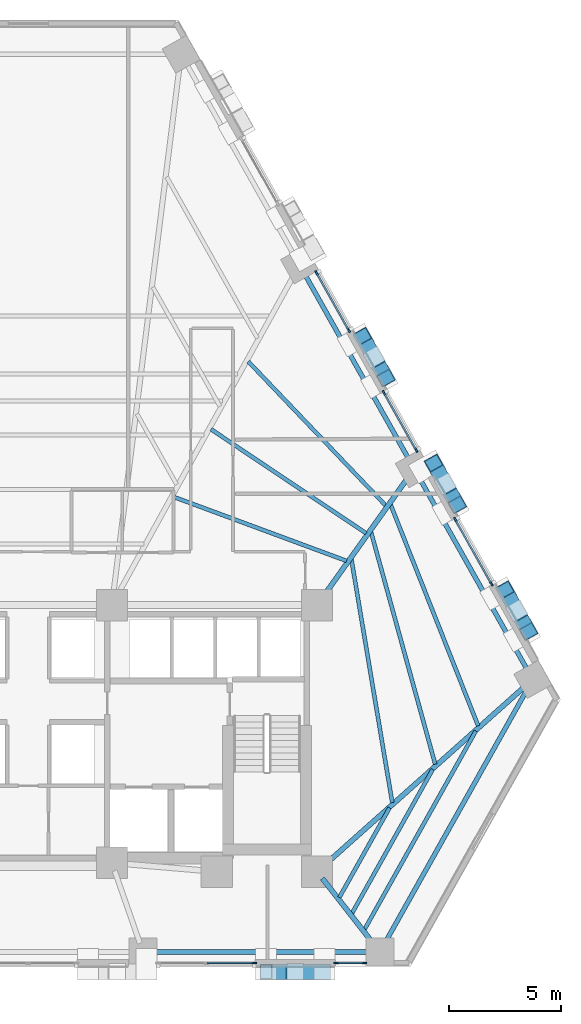
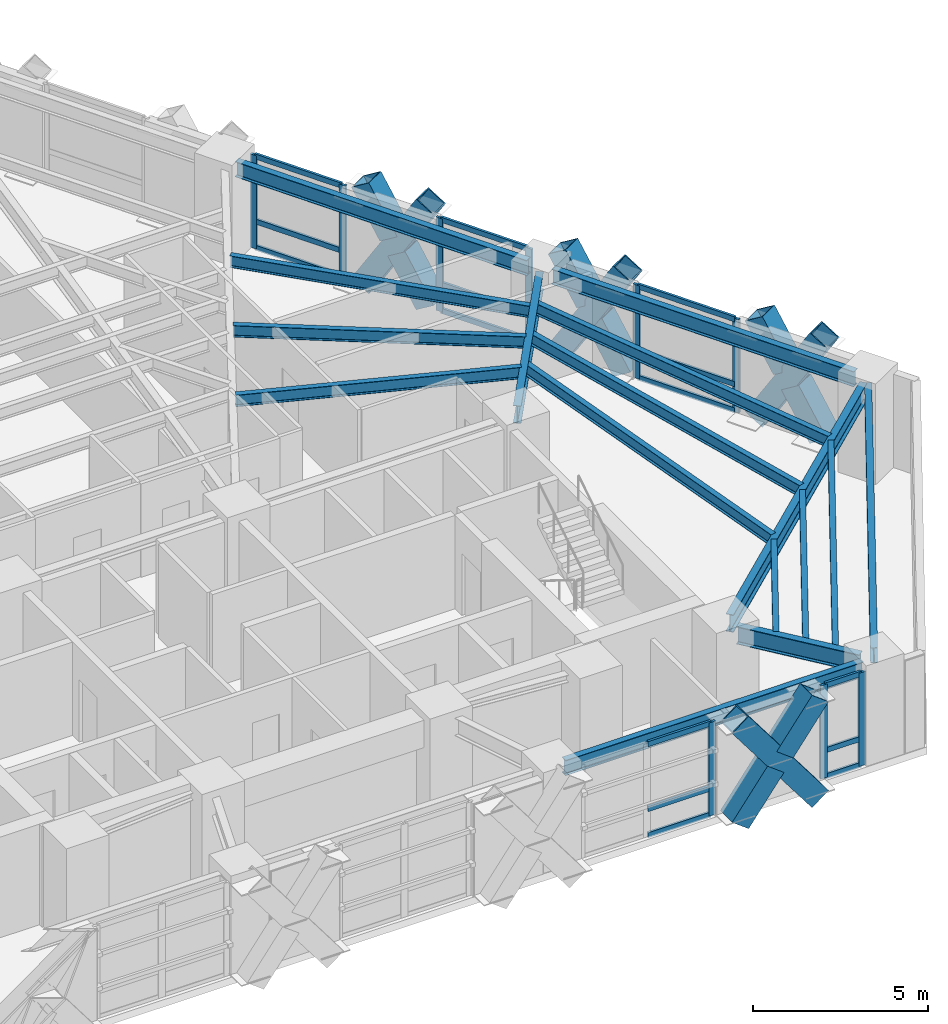
# One storey, part 4 of 13: 36 members, 16 beams, 5 elements without a shape of their own.
"""IFC4 building model written with IfcOpenShell, lengths in metres."""

from ifc_helpers import new_model, si_unit, direction, frame, origin, origin_2d, place, context, subcontext, project, spatial, rectangle, hollow_rectangle, i_section, extrude, material, material_profile, profile_set, type_object, element, aggregate, save


model = new_model("IFC4")

# Units and contexts
model_context = context("Model", 3, precision=1e-05, world=origin(), true_north=direction((0.0, 1.0)))
body_context = subcontext(model_context, "Body", "Model", "MODEL_VIEW")
ifc_project = project(units=[si_unit("LENGTHUNIT", "METRE"), si_unit("AREAUNIT", "SQUARE_METRE"), si_unit("VOLUMEUNIT", "CUBIC_METRE"), si_unit("PLANEANGLEUNIT", "RADIAN"), si_unit("MASSUNIT", "GRAM", prefix="KILO")], contexts=[model_context])

# Site, building, storey
site_placement = place(None, origin())
site = spatial("IfcSite", under=ifc_project, at=site_placement, CompositionType="ELEMENT")
building_placement = place(site_placement, origin())
building = spatial("IfcBuilding", under=site, at=building_placement, Name="Quenlor Broadcast Tower", CompositionType="ELEMENT")
storey_placement = place(building_placement, frame((0.0, 0.0, 62.60009765625)))
storey = spatial("IfcBuildingStorey", under=building, at=storey_placement, Name="L16", CompositionType="ELEMENT", Elevation=62.60009765625)

# Curtain wall, members
ifc_material_1 = material(Name="Architectural Terracotta and Low-E Glazing", Category="masonry")
curtain_wall_type = type_object("IfcCurtainWallType", Name="Unitised Terracotta Curtain Wall System Z1", PredefinedType="NOTDEFINED", material=ifc_material_1)
curtain_wall_1_placement = place(storey_placement, origin())
curtain_wall_1 = element("IfcCurtainWall", 1, at=curtain_wall_1_placement, inside=storey, type_object=curtain_wall_type, Name="L16 Curtain Wall CW1 (L16-SA-G1)", PredefinedType="NOTDEFINED")
ifc_material_2 = material(Name="Aluminium 6063-T6", Category="aluminium")
ifc_material_profile_1 = material_profile(ifc_material_2, rectangle(XDim=0.080078125, YDim=0.219970703125, at=origin_2d()))
ifc_profile_set_1 = profile_set([ifc_material_profile_1], Name="Aluminium 6063-T6 MULL80x220")
member_type_1 = type_object("IfcMemberType", Name="CW1 Aluminium Mullion MULL_CW1", PredefinedType="MULLION", material=ifc_profile_set_1)
member_1_placement = place(storey_placement, frame((15.0751953125, -20.840087890625, 0.0), z_axis=(0.0, 0.0, 1.0), x_axis=(0.0, -1.0, 0.0)))
member_1 = element("IfcMember", 2, at=member_1_placement, type_object=member_type_1, Name="CW1 mullion 1", PredefinedType="MULLION", context=body_context, shape_type="SweptSolid", body=[
    extrude(rectangle(XDim=0.080078125, YDim=0.219970703125, at=origin_2d()), origin(), (0.0, 0.0, 1.0), 3.25),
])
member_2_placement = place(storey_placement, frame((13.806884765625, -20.840087890625, 0.0), z_axis=(0.0, 0.0, 1.0), x_axis=(0.0, -1.0, 0.0)))
member_2 = element("IfcMember", 3, at=member_2_placement, type_object=member_type_1, Name="CW1 mullion 2", PredefinedType="MULLION", context=body_context, shape_type="SweptSolid", body=[
    extrude(rectangle(XDim=0.080078125, YDim=0.219970703125, at=origin_2d()), origin(), (0.0, 0.0, 1.0), 3.25),
])

# Curtain wall, member
curtain_wall_2_placement = place(storey_placement, origin())
curtain_wall_2 = element("IfcCurtainWall", 4, at=curtain_wall_2_placement, inside=storey, type_object=curtain_wall_type, Name="L16 Curtain Wall CW1 (L16-SA-G2)", PredefinedType="NOTDEFINED")
member_3_placement = place(storey_placement, frame((10.134765625, -20.840087890625, 0.0), z_axis=(0.0, 0.0, 1.0), x_axis=(0.0, -1.0, 0.0)))
member_3 = element("IfcMember", 5, at=member_3_placement, type_object=member_type_1, Name="CW1 mullion 1", PredefinedType="MULLION", context=body_context, shape_type="SweptSolid", body=[
    extrude(rectangle(XDim=0.080078125, YDim=0.219970703125, at=origin_2d()), origin(), (0.0, 0.0, 1.0), 3.25),
])

# Curtain wall, members
curtain_wall_3_placement = place(storey_placement, origin())
curtain_wall_3 = element("IfcCurtainWall", 6, at=curtain_wall_3_placement, inside=storey, type_object=curtain_wall_type, Name="L16 Curtain Wall CW1 (L16-NEC-G1)", PredefinedType="NOTDEFINED")
member_4_placement = place(storey_placement, frame((19.146484375, -0.964599609375, 0.0), z_axis=(0.0, 0.0, 1.0), x_axis=(0.871577906875, 0.49025702672, 0.0)))
member_4 = element("IfcMember", 7, at=member_4_placement, type_object=member_type_1, Name="CW1 mullion 1", PredefinedType="MULLION", context=body_context, shape_type="SweptSolid", body=[
    extrude(rectangle(XDim=0.080078125, YDim=0.219970703125, at=origin_2d()), origin(), (0.0, 0.0, 1.0), 3.25),
])
member_5_placement = place(storey_placement, frame((20.764892578125, -3.841552734375, 0.0), z_axis=(0.0, 0.0, 1.0), x_axis=(0.871577906875, 0.49025702672, 0.0)))
member_5 = element("IfcMember", 8, at=member_5_placement, type_object=member_type_1, Name="CW1 mullion 2", PredefinedType="MULLION", context=body_context, shape_type="SweptSolid", body=[
    extrude(rectangle(XDim=0.080078125, YDim=0.219970703125, at=origin_2d()), origin(), (0.0, 0.0, 1.0), 3.25),
])

curtain_wall_4_placement = place(storey_placement, origin())
curtain_wall_4 = element("IfcCurtainWall", 9, at=curtain_wall_4_placement, inside=storey, type_object=curtain_wall_type, Name="L16 Curtain Wall CW1 (L16-NE-G1)", PredefinedType="NOTDEFINED")
member_6_placement = place(storey_placement, frame((12.926025390625, 10.09423828125, 0.0), z_axis=(0.0, 0.0, 1.0), x_axis=(0.871568481465, 0.490273782815, 0.0)))
member_6 = element("IfcMember", 10, at=member_6_placement, type_object=member_type_1, Name="CW1 mullion 1", PredefinedType="MULLION", context=body_context, shape_type="SweptSolid", body=[
    extrude(rectangle(XDim=0.080078125, YDim=0.219970703125, at=origin_2d()), origin(), (0.0, 0.0, 1.0), 3.25),
])
member_7_placement = place(storey_placement, frame((14.371337890625, 7.524658203125, 0.0), z_axis=(0.0, 0.0, 1.0), x_axis=(0.871568481465, 0.490273782815, 0.0)))
member_7 = element("IfcMember", 11, at=member_7_placement, type_object=member_type_1, Name="CW1 mullion 2", PredefinedType="MULLION", context=body_context, shape_type="SweptSolid", body=[
    extrude(rectangle(XDim=0.080078125, YDim=0.219970703125, at=origin_2d()), origin(), (0.0, 0.0, 1.0), 3.25),
])

curtain_wall_5_placement = place(storey_placement, origin())
curtain_wall_5 = element("IfcCurtainWall", 12, at=curtain_wall_5_placement, inside=storey, type_object=curtain_wall_type, Name="L16 Curtain Wall CW1 (L16-NE-G2)", PredefinedType="NOTDEFINED")
member_8_placement = place(storey_placement, frame((15.94970703125, 4.718505859375, 0.0), z_axis=(0.0, 0.0, 1.0), x_axis=(0.871568481465, 0.490273782815, 0.0)))
member_8 = element("IfcMember", 13, at=member_8_placement, type_object=member_type_1, Name="CW1 mullion 1", PredefinedType="MULLION", context=body_context, shape_type="SweptSolid", body=[
    extrude(rectangle(XDim=0.080078125, YDim=0.219970703125, at=origin_2d()), origin(), (0.0, 0.0, 1.0), 3.25),
])
member_9_placement = place(storey_placement, frame((17.39501953125, 2.149169921875, 0.0), z_axis=(0.0, 0.0, 1.0), x_axis=(0.871568481465, 0.490273782815, 0.0)))
member_9 = element("IfcMember", 14, at=member_9_placement, type_object=member_type_1, Name="CW1 mullion 2", PredefinedType="MULLION", context=body_context, shape_type="SweptSolid", body=[
    extrude(rectangle(XDim=0.080078125, YDim=0.219970703125, at=origin_2d()), origin(), (0.0, 0.0, 1.0), 3.25),
])

# Member
ifc_material_3 = material(Name="Aluminium 6063-T6", Category="aluminium")
ifc_material_profile_2 = material_profile(ifc_material_3, rectangle(XDim=0.080078125, YDim=0.179931640625, at=origin_2d()))
ifc_profile_set_2 = profile_set([ifc_material_profile_2], Name="Aluminium 6063-T6 TRAN80x180")
member_type_2 = type_object("IfcMemberType", Name="CW1 Aluminium Transom TRAN_CW1", PredefinedType="USERDEFINED", material=ifc_profile_set_2)
member_10_placement = place(storey_placement, frame((15.03515625, -20.840087890625, 0.039794921875), z_axis=(-1.0, 0.0, 0.0), x_axis=(0.0, -1.0, 0.0)))
member_10 = element("IfcMember", 15, at=member_10_placement, type_object=member_type_2, Name="CW1 transom 1.1", ObjectType="TRANSOM", PredefinedType="USERDEFINED", context=body_context, shape_type="SweptSolid", body=[
    extrude(rectangle(XDim=0.080078125, YDim=0.179931640625, at=origin_2d()), origin(), (0.0, 0.0, 1.0), 1.1884765625),
])

member_11_placement = place(storey_placement, frame((15.03515625, -20.840087890625, 0.949951171875), z_axis=(-1.0, 0.0, 0.0), x_axis=(0.0, -1.0, 0.0)))
member_11 = element("IfcMember", 16, at=member_11_placement, type_object=member_type_2, Name="CW1 transom 1.2", ObjectType="TRANSOM", PredefinedType="USERDEFINED", context=body_context, shape_type="SweptSolid", body=[
    extrude(rectangle(XDim=0.080078125, YDim=0.179931640625, at=origin_2d()), origin(), (0.0, 0.0, 1.0), 1.1884765625),
])

member_12_placement = place(storey_placement, frame((15.03515625, -20.840087890625, 3.2099609375), z_axis=(-1.0, 0.0, 0.0), x_axis=(0.0, -1.0, 0.0)))
member_12 = element("IfcMember", 17, at=member_12_placement, type_object=member_type_2, Name="CW1 transom 1.3", ObjectType="TRANSOM", PredefinedType="USERDEFINED", context=body_context, shape_type="SweptSolid", body=[
    extrude(rectangle(XDim=0.080078125, YDim=0.179931640625, at=origin_2d()), origin(), (0.0, 0.0, 1.0), 1.1884765625),
])

aggregate(curtain_wall_1, [member_1, member_2, member_10, member_11, member_12])

member_13_placement = place(storey_placement, frame((10.0947265625, -20.840087890625, 0.039794921875), z_axis=(-1.0, 0.0, 0.0), x_axis=(0.0, -1.0, 0.0)))
member_13 = element("IfcMember", 18, at=member_13_placement, type_object=member_type_2, Name="CW1 transom 1.1", ObjectType="TRANSOM", PredefinedType="USERDEFINED", context=body_context, shape_type="SweptSolid", body=[
    extrude(rectangle(XDim=0.080078125, YDim=0.179931640625, at=origin_2d()), origin(), (0.0, 0.0, 1.0), 2.072021484375),
])

member_14_placement = place(storey_placement, frame((10.0947265625, -20.840087890625, 0.949951171875), z_axis=(-1.0, 0.0, 0.0), x_axis=(0.0, -1.0, 0.0)))
member_14 = element("IfcMember", 19, at=member_14_placement, type_object=member_type_2, Name="CW1 transom 1.2", ObjectType="TRANSOM", PredefinedType="USERDEFINED", context=body_context, shape_type="SweptSolid", body=[
    extrude(rectangle(XDim=0.080078125, YDim=0.179931640625, at=origin_2d()), origin(), (0.0, 0.0, 1.0), 2.072021484375),
])

member_15_placement = place(storey_placement, frame((10.0947265625, -20.840087890625, 3.2099609375), z_axis=(-1.0, 0.0, 0.0), x_axis=(0.0, -1.0, 0.0)))
member_15 = element("IfcMember", 20, at=member_15_placement, type_object=member_type_2, Name="CW1 transom 1.3", ObjectType="TRANSOM", PredefinedType="USERDEFINED", context=body_context, shape_type="SweptSolid", body=[
    extrude(rectangle(XDim=0.080078125, YDim=0.179931640625, at=origin_2d()), origin(), (0.0, 0.0, 1.0), 2.072021484375),
])

aggregate(curtain_wall_2, [member_3, member_13, member_14, member_15])

member_16_placement = place(storey_placement, frame((19.166015625, -0.99951171875, 0.039794921875), z_axis=(0.490250443683, -0.871581609758, 0.0), x_axis=(0.871581609758, 0.490250443683, 0.0)))
member_16 = element("IfcMember", 21, at=member_16_placement, type_object=member_type_2, Name="CW1 transom 1.1", ObjectType="TRANSOM", PredefinedType="USERDEFINED", context=body_context, shape_type="SweptSolid", body=[
    extrude(rectangle(XDim=0.080078125, YDim=0.179931640625, at=origin_2d()), origin(), (0.0, 0.0, 1.0), 3.220947265625),
])

member_17_placement = place(storey_placement, frame((19.166015625, -0.99951171875, 0.949951171875), z_axis=(0.490250443683, -0.871581609758, 0.0), x_axis=(0.871581609758, 0.490250443683, 0.0)))
member_17 = element("IfcMember", 22, at=member_17_placement, type_object=member_type_2, Name="CW1 transom 1.2", ObjectType="TRANSOM", PredefinedType="USERDEFINED", context=body_context, shape_type="SweptSolid", body=[
    extrude(rectangle(XDim=0.080078125, YDim=0.179931640625, at=origin_2d()), origin(), (0.0, 0.0, 1.0), 3.220947265625),
])

member_18_placement = place(storey_placement, frame((19.166015625, -0.99951171875, 3.2099609375), z_axis=(0.490250443683, -0.871581609758, 0.0), x_axis=(0.871581609758, 0.490250443683, 0.0)))
member_18 = element("IfcMember", 23, at=member_18_placement, type_object=member_type_2, Name="CW1 transom 1.3", ObjectType="TRANSOM", PredefinedType="USERDEFINED", context=body_context, shape_type="SweptSolid", body=[
    extrude(rectangle(XDim=0.080078125, YDim=0.179931640625, at=origin_2d()), origin(), (0.0, 0.0, 1.0), 3.220947265625),
])

aggregate(curtain_wall_3, [member_4, member_5, member_16, member_17, member_18])

member_19_placement = place(storey_placement, frame((12.945556640625, 10.059326171875, 0.039794921875), z_axis=(0.490232948684, -0.871591450179, 0.0), x_axis=(0.871591450179, 0.490232948684, 0.0)))
member_19 = element("IfcMember", 24, at=member_19_placement, type_object=member_type_2, Name="CW1 transom 1.1", ObjectType="TRANSOM", PredefinedType="USERDEFINED", context=body_context, shape_type="SweptSolid", body=[
    extrude(rectangle(XDim=0.080078125, YDim=0.179931640625, at=origin_2d()), origin(), (0.0, 0.0, 1.0), 2.867919921875),
])

member_20_placement = place(storey_placement, frame((12.945556640625, 10.059326171875, 0.949951171875), z_axis=(0.490232948684, -0.871591450179, 0.0), x_axis=(0.871591450179, 0.490232948684, 0.0)))
member_20 = element("IfcMember", 25, at=member_20_placement, type_object=member_type_2, Name="CW1 transom 1.2", ObjectType="TRANSOM", PredefinedType="USERDEFINED", context=body_context, shape_type="SweptSolid", body=[
    extrude(rectangle(XDim=0.080078125, YDim=0.179931640625, at=origin_2d()), origin(), (0.0, 0.0, 1.0), 2.867919921875),
])

member_21_placement = place(storey_placement, frame((12.945556640625, 10.059326171875, 3.2099609375), z_axis=(0.490232948684, -0.871591450179, 0.0), x_axis=(0.871591450179, 0.490232948684, 0.0)))
member_21 = element("IfcMember", 26, at=member_21_placement, type_object=member_type_2, Name="CW1 transom 1.3", ObjectType="TRANSOM", PredefinedType="USERDEFINED", context=body_context, shape_type="SweptSolid", body=[
    extrude(rectangle(XDim=0.080078125, YDim=0.179931640625, at=origin_2d()), origin(), (0.0, 0.0, 1.0), 2.867919921875),
])

aggregate(curtain_wall_4, [member_6, member_7, member_19, member_20, member_21])

member_22_placement = place(storey_placement, frame((15.96923828125, 4.68359375, 0.039794921875), z_axis=(0.490297611432, -0.871555076988, 0.0), x_axis=(0.871555076988, 0.490297611432, 0.0)))
member_22 = element("IfcMember", 27, at=member_22_placement, type_object=member_type_2, Name="CW1 transom 1.1", ObjectType="TRANSOM", PredefinedType="USERDEFINED", context=body_context, shape_type="SweptSolid", body=[
    extrude(rectangle(XDim=0.080078125, YDim=0.179931640625, at=origin_2d()), origin(), (0.0, 0.0, 1.0), 2.8681640625),
])

member_23_placement = place(storey_placement, frame((15.96923828125, 4.68359375, 0.949951171875), z_axis=(0.490297611432, -0.871555076988, 0.0), x_axis=(0.871555076988, 0.490297611432, 0.0)))
member_23 = element("IfcMember", 28, at=member_23_placement, type_object=member_type_2, Name="CW1 transom 1.2", ObjectType="TRANSOM", PredefinedType="USERDEFINED", context=body_context, shape_type="SweptSolid", body=[
    extrude(rectangle(XDim=0.080078125, YDim=0.179931640625, at=origin_2d()), origin(), (0.0, 0.0, 1.0), 2.8681640625),
])

member_24_placement = place(storey_placement, frame((15.96923828125, 4.68359375, 3.2099609375), z_axis=(0.490297611432, -0.871555076988, 0.0), x_axis=(0.871555076988, 0.490297611432, 0.0)))
member_24 = element("IfcMember", 29, at=member_24_placement, type_object=member_type_2, Name="CW1 transom 1.3", ObjectType="TRANSOM", PredefinedType="USERDEFINED", context=body_context, shape_type="SweptSolid", body=[
    extrude(rectangle(XDim=0.080078125, YDim=0.179931640625, at=origin_2d()), origin(), (0.0, 0.0, 1.0), 2.8681640625),
])

aggregate(curtain_wall_5, [member_8, member_9, member_22, member_23, member_24])

# Members
ifc_material_4 = material(Name="Steel S355", Category="steel")
ifc_material_profile_3 = material_profile(ifc_material_4, hollow_rectangle(XDim=0.679931640625, YDim=0.679931640625, WallThickness=0.034912109375, at=origin_2d()))
ifc_profile_set_3 = profile_set([ifc_material_profile_3], Name="Steel S355 RHS680x680x35")
member_type_3 = type_object("IfcMemberType", Name="Perimeter Diagonal Lattice Brace Z1 Steel S355 RHS680x35", PredefinedType="BRACE", material=ifc_profile_set_3)
member_25_placement = place(storey_placement, frame((13.284912109375, -21.235107421875, -0.1201171875), z_axis=(-0.60049964856, 0.0, 0.799625019668), x_axis=(0.0, -1.0, 0.0)))
element("IfcMember", 30, at=member_25_placement, inside=storey, type_object=member_type_3, Name="L16 Perimeter Diamond Lattice S-C1XA", PredefinedType="BRACE", context=body_context, shape_type="SweptSolid", body=[
    extrude(hollow_rectangle(XDim=0.679931640625, YDim=0.679931640625, WallThickness=0.034912109375, at=origin_2d()), origin(), (0.0, 0.0, 1.0), 4.376953125),
])
for number, where, z_axis, x_axis, name in (
    (31, (10.656494140625, -21.235107421875, -0.1201171875), (0.600503659272, 0.0, 0.799622007701), (0.0, 1.0, 0.0), "L16 Perimeter Diamond Lattice S-C1XB1"),
    (32, (12.120849609375, -21.235107421875, 1.829833984375), (0.600503659272, 0.0, 0.799622007701), (0.0, 1.0, 0.0), "L16 Perimeter Diamond Lattice S-C1XB2"),
):
    element("IfcMember", number, at=place(storey_placement, frame(where, z_axis=z_axis, x_axis=x_axis)), inside=storey, type_object=member_type_3, Name=name, PredefinedType="BRACE", context=body_context, shape_type="SweptSolid", body=[
        extrude(hollow_rectangle(XDim=0.679931640625, YDim=0.679931640625, WallThickness=0.034912109375, at=origin_2d()), origin(), (0.0, 0.0, 1.0), 1.9384765625),
    ])
member_26_placement = place(storey_placement, frame((14.978515625, 7.251220703125, -0.1201171875), z_axis=(0.256368393635, -0.455838699906, 0.852341672343), x_axis=(0.871608931644, 0.490201866865, 0.0)))
element("IfcMember", 33, at=member_26_placement, inside=storey, type_object=member_type_3, Name="L16 Perimeter Diamond Lattice NE-C3XA", PredefinedType="BRACE", context=body_context, shape_type="SweptSolid", body=[
    extrude(hollow_rectangle(XDim=0.679931640625, YDim=0.679931640625, WallThickness=0.034912109375, at=origin_2d()), origin(), (0.0, 0.0, 1.0), 4.1064453125),
])
for number, where, z_axis, x_axis, name in (
    (34, (16.03125, 5.37939453125, -0.1201171875), (-0.256435894674, 0.455870991217, 0.852304095549), (-0.871568623966, -0.49027352949, 0.0), "L16 Perimeter Diamond Lattice NE-C3XB1"),
    (35, (15.440673828125, 6.42919921875, 1.843017578125), (-0.256309397679, 0.455886815629, 0.852333681135), (-0.871679226863, -0.490076856683, 0.0), "L16 Perimeter Diamond Lattice NE-C3XB2"),
):
    element("IfcMember", number, at=place(storey_placement, frame(where, z_axis=z_axis, x_axis=x_axis)), inside=storey, type_object=member_type_3, Name=name, PredefinedType="BRACE", context=body_context, shape_type="SweptSolid", body=[
        extrude(hollow_rectangle(XDim=0.679931640625, YDim=0.679931640625, WallThickness=0.034912109375, at=origin_2d()), origin(), (0.0, 0.0, 1.0), 1.80322265625),
    ])
member_27_placement = place(storey_placement, frame((18.175048828125, 1.56787109375, -0.1201171875), z_axis=(0.256430888508, -0.455784649039, 0.8523517778), x_axis=(0.871533027316, 0.490336804959, 0.0)))
element("IfcMember", 36, at=member_27_placement, inside=storey, type_object=member_type_3, Name="L16 Perimeter Diamond Lattice NE-C4XA", PredefinedType="BRACE", context=body_context, shape_type="SweptSolid", body=[
    extrude(hollow_rectangle(XDim=0.679931640625, YDim=0.679931640625, WallThickness=0.034912109375, at=origin_2d()), origin(), (0.0, 0.0, 1.0), 4.106201171875),
])
member_28_placement = place(storey_placement, frame((19.22802734375, -0.3037109375, -0.1201171875), z_axis=(-0.256435894674, 0.455870991217, 0.852304095549), x_axis=(-0.871568623966, -0.49027352949, 0.0)))
element("IfcMember", 37, at=member_28_placement, inside=storey, type_object=member_type_3, Name="L16 Perimeter Diamond Lattice NE-C4XB1", PredefinedType="BRACE", context=body_context, shape_type="SweptSolid", body=[
    extrude(hollow_rectangle(XDim=0.679931640625, YDim=0.679931640625, WallThickness=0.034912109375, at=origin_2d()), origin(), (0.0, 0.0, 1.0), 1.80322265625),
])
member_29_placement = place(storey_placement, frame((18.637451171875, 0.74609375, 1.843017578125), z_axis=(-0.256451721554, 0.455763724789, 0.852356698618), x_axis=(-0.871506382136, -0.490384161547, 0.0)))
element("IfcMember", 38, at=member_29_placement, inside=storey, type_object=member_type_3, Name="L16 Perimeter Diamond Lattice NE-C4XB2", PredefinedType="BRACE", context=body_context, shape_type="SweptSolid", body=[
    extrude(hollow_rectangle(XDim=0.679931640625, YDim=0.679931640625, WallThickness=0.034912109375, at=origin_2d()), origin(), (0.0, 0.0, 1.0), 1.802978515625),
])
member_30_placement = place(storey_placement, frame((21.371826171875, -4.115234375, -0.1201171875), z_axis=(0.256430888508, -0.455784649039, 0.8523517778), x_axis=(0.871533027316, 0.490336804959, 0.0)))
element("IfcMember", 39, at=member_30_placement, inside=storey, type_object=member_type_3, Name="L16 Perimeter Diamond Lattice NE-C5XA", PredefinedType="BRACE", context=body_context, shape_type="SweptSolid", body=[
    extrude(hollow_rectangle(XDim=0.679931640625, YDim=0.679931640625, WallThickness=0.034912109375, at=origin_2d()), origin(), (0.0, 0.0, 1.0), 4.106201171875),
])
for number, where, z_axis, x_axis, name in (
    (40, (22.4248046875, -5.98681640625, -0.1201171875), (-0.256451721554, 0.455763724789, 0.852356698618), (-0.871506382136, -0.490384161547, 0.0), "L16 Perimeter Diamond Lattice NE-C5XB1"),
    (41, (21.834228515625, -4.93701171875, 1.843017578125), (-0.256451721554, 0.455763724789, 0.852356698618), (-0.871506382136, -0.490384161547, 0.0), "L16 Perimeter Diamond Lattice NE-C5XB2"),
):
    element("IfcMember", number, at=place(storey_placement, frame(where, z_axis=z_axis, x_axis=x_axis)), inside=storey, type_object=member_type_3, Name=name, PredefinedType="BRACE", context=body_context, shape_type="SweptSolid", body=[
        extrude(hollow_rectangle(XDim=0.679931640625, YDim=0.679931640625, WallThickness=0.034912109375, at=origin_2d()), origin(), (0.0, 0.0, 1.0), 1.802978515625),
    ])

# Beams
ifc_material_5 = material(Name="Steel S355", Category="steel")
ifc_material_profile_4 = material_profile(ifc_material_5, i_section(OverallWidth=0.208984375, OverallDepth=0.532958984375, WebThickness=0.01025390625, FlangeThickness=0.015625, FilletRadius=0.013916015625, at=origin_2d()))
ifc_profile_set_4 = profile_set([ifc_material_profile_4], Name="Steel S355 530UB92.4")
beam_type_1 = type_object("IfcBeamType", Name="Perimeter Spandrel Beam Z1 Steel S355 530UB92.4", PredefinedType="SPANDREL", material=ifc_profile_set_4)
beam_1_placement = place(storey_placement, frame((5.55078125, -20.35009765625, 2.9833984375), z_axis=(1.0, 0.0, 0.0), x_axis=(0.0, 1.0, 0.0)))
element("IfcBeam", 42, at=beam_1_placement, inside=storey, type_object=beam_type_1, Name="L16 Spandrel Beam S3-S4", PredefinedType="SPANDREL", context=body_context, shape_type="SweptSolid", body=[
    extrude(i_section(OverallWidth=0.208984375, OverallDepth=0.532958984375, WebThickness=0.01025390625, FlangeThickness=0.015625, FilletRadius=0.013916015625, at=origin_2d()), origin(), (0.0, 0.0, 1.0), 9.80419921875),
])
beam_2_placement = place(storey_placement, frame((15.965576171875, -19.992431640625, 2.9833984375), z_axis=(0.489090917871, 0.87223280955, 0.0), x_axis=(-0.87223280955, 0.489090917871, 0.0)))
element("IfcBeam", 43, at=beam_2_placement, inside=storey, type_object=beam_type_1, Name="L16 Spandrel Beam S4-NE1", PredefinedType="SPANDREL", context=body_context, shape_type="SweptSolid", body=[
    extrude(i_section(OverallWidth=0.208984375, OverallDepth=0.532958984375, WebThickness=0.01025390625, FlangeThickness=0.015625, FilletRadius=0.013916015625, at=origin_2d()), origin(), (0.0, 0.0, 1.0), 13.187744140625),
])
beam_3_placement = place(storey_placement, frame((22.4150390625, -7.77490234375, 2.9833984375), z_axis=(-0.490257767622, 0.871577490121, 0.0), x_axis=(-0.871577490121, -0.490257767622, 0.0)))
element("IfcBeam", 44, at=beam_3_placement, inside=storey, type_object=beam_type_1, Name="L16 Spandrel Beam NE1-NE2", PredefinedType="SPANDREL", context=body_context, shape_type="SweptSolid", body=[
    extrude(i_section(OverallWidth=0.208984375, OverallDepth=0.532958984375, WebThickness=0.01025390625, FlangeThickness=0.015625, FilletRadius=0.013916015625, at=origin_2d()), origin(), (0.0, 0.0, 1.0), 10.015380859375),
])
beam_4_placement = place(storey_placement, frame((17.102783203125, 1.6689453125, 2.9833984375), z_axis=(-0.490257642051, 0.871577560755, 0.0), x_axis=(-0.871577560755, -0.490257642051, 0.0)))
element("IfcBeam", 45, at=beam_4_placement, inside=storey, type_object=beam_type_1, Name="L16 Spandrel Beam NE2-NE3", PredefinedType="SPANDREL", context=body_context, shape_type="SweptSolid", body=[
    extrude(i_section(OverallWidth=0.208984375, OverallDepth=0.532958984375, WebThickness=0.01025390625, FlangeThickness=0.015625, FilletRadius=0.013916015625, at=origin_2d()), origin(), (0.0, 0.0, 1.0), 9.665771484375),
])
ifc_material_6 = material(Name="Steel S355", Category="steel")
ifc_material_profile_5 = material_profile(ifc_material_6, i_section(OverallWidth=0.177978515625, OverallDepth=0.406494140625, WebThickness=0.0078125, FlangeThickness=0.0126953125, FilletRadius=0.011474609375, at=origin_2d()))
ifc_profile_set_5 = profile_set([ifc_material_profile_5], Name="Steel S355 410UB59.7")
beam_type_2 = type_object("IfcBeamType", Name="Tower Composite Joist Z1 Steel S355 410UB59.7", PredefinedType="JOIST", material=ifc_profile_set_5)
beam_5_placement = place(storey_placement, frame((14.268310546875, -2.81640625, 3.046630859375), z_axis=(-0.937824633945, 0.347109429383, 0.0), x_axis=(-0.347109429383, -0.937824633945, 0.0)))
element("IfcBeam", 46, at=beam_5_placement, inside=storey, type_object=beam_type_2, Name="L16 Secondary Composite Joist 10", PredefinedType="JOIST", context=body_context, shape_type="SweptSolid", body=[
    extrude(i_section(OverallWidth=0.177978515625, OverallDepth=0.406494140625, WebThickness=0.0078125, FlangeThickness=0.0126953125, FilletRadius=0.011474609375, at=origin_2d()), origin(), (0.0, 0.0, 1.0), 8.26513671875),
])
beam_6_placement = place(storey_placement, frame((15.147705078125, -1.577392578125, 3.046630859375), z_axis=(-0.830625844363, 0.556830949819, 0.0), x_axis=(-0.556830949819, -0.830625844363, 0.0)))
element("IfcBeam", 47, at=beam_6_placement, inside=storey, type_object=beam_type_2, Name="L16 Secondary Composite Joist 11", PredefinedType="JOIST", context=body_context, shape_type="SweptSolid", body=[
    extrude(i_section(OverallWidth=0.177978515625, OverallDepth=0.406494140625, WebThickness=0.0078125, FlangeThickness=0.0126953125, FilletRadius=0.011474609375, at=origin_2d()), origin(), (0.0, 0.0, 1.0), 8.374755859375),
])
beam_7_placement = place(storey_placement, frame((16.029541015625, -0.341796875, 3.046630859375), z_axis=(-0.690241086162, 0.723579465556, 0.0), x_axis=(-0.723579465556, -0.690241086162, 0.0)))
element("IfcBeam", 48, at=beam_7_placement, inside=storey, type_object=beam_type_2, Name="L16 Secondary Composite Joist 12", PredefinedType="JOIST", context=body_context, shape_type="SweptSolid", body=[
    extrude(i_section(OverallWidth=0.177978515625, OverallDepth=0.406494140625, WebThickness=0.0078125, FlangeThickness=0.0126953125, FilletRadius=0.011474609375, at=origin_2d()), origin(), (0.0, 0.0, 1.0), 8.93408203125),
])
beam_8_placement = place(storey_placement, frame((16.31982421875, -13.65478515625, 3.046630859375), z_axis=(-0.16559360599, 0.986194077074, 0.0), x_axis=(-0.986194077074, -0.16559360599, 0.0)))
element("IfcBeam", 49, at=beam_8_placement, inside=storey, type_object=beam_type_2, Name="L16 Secondary Composite Joist 16", PredefinedType="JOIST", context=body_context, shape_type="SweptSolid", body=[
    extrude(i_section(OverallWidth=0.177978515625, OverallDepth=0.406494140625, WebThickness=0.0078125, FlangeThickness=0.0126953125, FilletRadius=0.011474609375, at=origin_2d()), origin(), (0.0, 0.0, 1.0), 11.06787109375),
])
beam_9_placement = place(storey_placement, frame((18.2451171875, -11.93310546875, 3.046630859375), z_axis=(-0.266390054368, 0.963865311615, 0.0), x_axis=(-0.963865311615, -0.266390054368, 0.0)))
element("IfcBeam", 50, at=beam_9_placement, inside=storey, type_object=beam_type_2, Name="L16 Secondary Composite Joist 17", PredefinedType="JOIST", context=body_context, shape_type="SweptSolid", body=[
    extrude(i_section(OverallWidth=0.177978515625, OverallDepth=0.406494140625, WebThickness=0.0078125, FlangeThickness=0.0126953125, FilletRadius=0.011474609375, at=origin_2d()), origin(), (0.0, 0.0, 1.0), 10.80810546875),
])
beam_10_placement = place(storey_placement, frame((20.170166015625, -10.212158203125, 3.046630859375), z_axis=(-0.367884833597, 0.929871361646, 0.0), x_axis=(-0.929871361646, -0.367884833597, 0.0)))
element("IfcBeam", 51, at=beam_10_placement, inside=storey, type_object=beam_type_2, Name="L16 Secondary Composite Joist 18", PredefinedType="JOIST", context=body_context, shape_type="SweptSolid", body=[
    extrude(i_section(OverallWidth=0.177978515625, OverallDepth=0.406494140625, WebThickness=0.0078125, FlangeThickness=0.0126953125, FilletRadius=0.011474609375, at=origin_2d()), origin(), (0.0, 0.0, 1.0), 10.669921875),
])
beam_11_placement = place(storey_placement, frame((13.9462890625, -17.904296875, 3.046630859375), z_axis=(0.489062021968, 0.872249011848, 0.0), x_axis=(-0.872249011848, 0.489062021968, 0.0)))
element("IfcBeam", 52, at=beam_11_placement, inside=storey, type_object=beam_type_2, Name="L16 Secondary Composite Joist 22", PredefinedType="JOIST", context=body_context, shape_type="SweptSolid", body=[
    extrude(i_section(OverallWidth=0.177978515625, OverallDepth=0.406494140625, WebThickness=0.0078125, FlangeThickness=0.0126953125, FilletRadius=0.011474609375, at=origin_2d()), origin(), (0.0, 0.0, 1.0), 4.6025390625),
])
beam_12_placement = place(storey_placement, frame((14.50927734375, -18.624267578125, 3.046630859375), z_axis=(0.489088249322, 0.872234305892, 0.0), x_axis=(-0.872234305892, 0.489088249322, 0.0)))
element("IfcBeam", 53, at=beam_12_placement, inside=storey, type_object=beam_type_2, Name="L16 Secondary Composite Joist 23", PredefinedType="JOIST", context=body_context, shape_type="SweptSolid", body=[
    extrude(i_section(OverallWidth=0.177978515625, OverallDepth=0.406494140625, WebThickness=0.0078125, FlangeThickness=0.0126953125, FilletRadius=0.011474609375, at=origin_2d()), origin(), (0.0, 0.0, 1.0), 7.404296875),
])
beam_13_placement = place(storey_placement, frame((15.072265625, -19.34423828125, 3.046630859375), z_axis=(0.489081877778, 0.872237878579, 0.0), x_axis=(-0.872237878579, 0.489081877778, 0.0)))
element("IfcBeam", 54, at=beam_13_placement, inside=storey, type_object=beam_type_2, Name="L16 Secondary Composite Joist 24", PredefinedType="JOIST", context=body_context, shape_type="SweptSolid", body=[
    extrude(i_section(OverallWidth=0.177978515625, OverallDepth=0.406494140625, WebThickness=0.0078125, FlangeThickness=0.0126953125, FilletRadius=0.011474609375, at=origin_2d()), origin(), (0.0, 0.0, 1.0), 10.205810546875),
])
ifc_material_7 = material(Name="Steel S355", Category="steel")
ifc_material_profile_6 = material_profile(ifc_material_7, i_section(OverallWidth=0.22900390625, OverallDepth=0.611572265625, WebThickness=0.011962890625, FlangeThickness=0.01953125, FilletRadius=0.013916015625, at=origin_2d()))
ifc_profile_set_6 = profile_set([ifc_material_profile_6], Name="Steel S355 610UB125")
beam_type_3 = type_object("IfcBeamType", Name="Tower Primary Floor Beam Z1 Steel S355 610UB125", PredefinedType="BEAM", material=ifc_profile_set_6)
beam_14_placement = place(storey_placement, frame((15.512451171875, -20.027099609375, 2.944091796875), z_axis=(-0.615968610193, 0.78777069713, 0.0), x_axis=(-0.78777069713, -0.615968610193, 0.0)))
element("IfcBeam", 55, at=beam_14_placement, inside=storey, type_object=beam_type_3, Name="L16 Primary Radial Beam S4", PredefinedType="BEAM", context=body_context, shape_type="SweptSolid", body=[
    extrude(i_section(OverallWidth=0.22900390625, OverallDepth=0.611572265625, WebThickness=0.011962890625, FlangeThickness=0.01953125, FilletRadius=0.013916015625, at=origin_2d()), origin(), (0.0, 0.0, 1.0), 3.780029296875),
])
beam_15_placement = place(storey_placement, frame((22.31005859375, -8.40478515625, 2.944091796875), z_axis=(-0.746413754585, -0.665482161268, 0.0), x_axis=(0.665482161268, -0.746413754585, 0.0)))
element("IfcBeam", 56, at=beam_15_placement, inside=storey, type_object=beam_type_3, Name="L16 Primary Radial Beam NE1", PredefinedType="BEAM", context=body_context, shape_type="SweptSolid", body=[
    extrude(i_section(OverallWidth=0.22900390625, OverallDepth=0.611572265625, WebThickness=0.011962890625, FlangeThickness=0.01953125, FilletRadius=0.013916015625, at=origin_2d()), origin(), (0.0, 0.0, 1.0), 12.159912109375),
])
beam_16_placement = place(storey_placement, frame((17.06591796875, 0.977783203125, 2.944091796875), z_axis=(-0.580212680853, -0.814465005373, 0.0), x_axis=(0.814465005373, -0.580212680853, 0.0)))
element("IfcBeam", 57, at=beam_16_placement, inside=storey, type_object=beam_type_3, Name="L16 Primary Radial Beam NE2", PredefinedType="BEAM", context=body_context, shape_type="SweptSolid", body=[
    extrude(i_section(OverallWidth=0.22900390625, OverallDepth=0.611572265625, WebThickness=0.011962890625, FlangeThickness=0.01953125, FilletRadius=0.013916015625, at=origin_2d()), origin(), (0.0, 0.0, 1.0), 6.7138671875),
])

save(model, "model.ifc")
